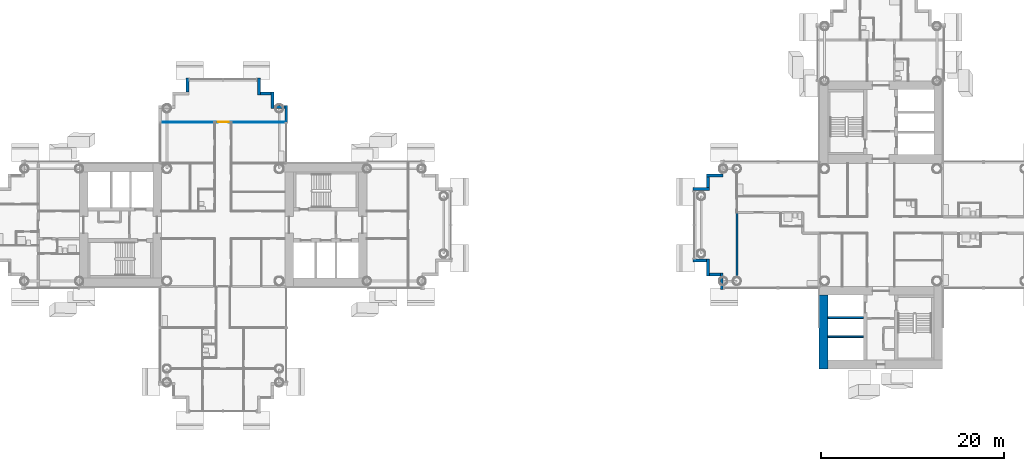
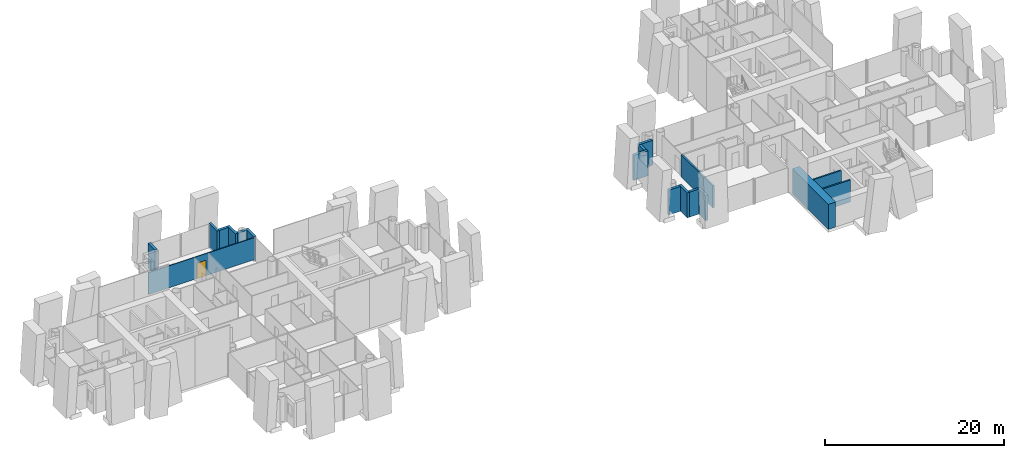
# One storey, part 11 of 21: 18 walls, 1 door, 1 opening.
"""IFC4 building model written with IfcOpenShell, lengths in metres."""

import ifcopenshell
import ifcopenshell.guid

model = None  # the IFC model being written
_history = None  # IfcOwnerHistory: only IFC2X3 demands one
_inside = {}  # id of a spatial element -> (the spatial element, [elements in it])
_under = {}  # id of a project, library or spatial element -> (it, [spatial elements below it])
_declared = {}  # id of a project -> (the project, [libraries it declares])
_typed = {}  # id of a type object -> (the type object, [elements of that type])
_made_of = {}  # id of a material, layer set ... -> (it, [elements and type objects made of it])


def new_model(schema):
    """Start an empty IFC model of exactly this schema.

    Asked for "IFC4X3", IfcOpenShell would pick the latest addendum, in which some entities
    have other attributes; the version numbers below select the first issue.
    IFC2X3 requires an IfcOwnerHistory on every rooted entity: one is made here for all.
    """
    global model, _history
    if schema == "IFC4X3":
        model = ifcopenshell.file(schema_version=(4, 3, 0, 0))
    else:
        model = ifcopenshell.file(schema=schema)
    _inside.clear()
    _under.clear()
    _declared.clear()
    _typed.clear()
    _made_of.clear()
    _history = None
    if model.schema == "IFC2X3":
        org = make("IfcOrganization", Name="unknown")
        user = make(
            "IfcPersonAndOrganization",
            ThePerson=make("IfcPerson", FamilyName="unknown"),
            TheOrganization=org,
        )
        app = make(
            "IfcApplication",
            ApplicationDeveloper=org,
            Version="unknown",
            ApplicationFullName="unknown",
            ApplicationIdentifier="unknown",
        )
        _history = make(
            "IfcOwnerHistory",
            OwningUser=user,
            OwningApplication=app,
            ChangeAction="ADDED",
            CreationDate=0,
        )
    return model


def make(cls, **values):
    """One entity of the class cls with the attributes given. An attribute that is None is left unset."""
    return model.create_entity(
        cls, **{name: value for name, value in values.items() if value is not None}
    )


def rooted(cls, **values):
    """An entity with a GlobalId (a new one), such as an element, a storey or a relation."""
    return make(cls, GlobalId=ifcopenshell.guid.new(), OwnerHistory=_history, **values)


def si_unit(unit_type, name, prefix=None):
    """IfcSIUnit, for example si_unit("LENGTHUNIT", "METRE", prefix="MILLI")."""
    return make("IfcSIUnit", UnitType=unit_type, Prefix=prefix, Name=name)


def assignment(units):
    """IfcUnitAssignment: the units of a project."""
    return None if units is None else make("IfcUnitAssignment", Units=units)


def point(xyz):
    """IfcCartesianPoint."""
    return None if xyz is None else make("IfcCartesianPoint", Coordinates=xyz)


def direction(xyz):
    """IfcDirection."""
    return None if xyz is None else make("IfcDirection", DirectionRatios=xyz)


def frame(location, z_axis=None, x_axis=None):
    """IfcAxis2Placement3D, a coordinate frame: its origin and axes. An axis left out is left unset."""
    return make(
        "IfcAxis2Placement3D",
        Location=point(location),
        Axis=direction(z_axis),
        RefDirection=direction(x_axis),
    )


def frame_2d(location, x_axis=None):
    """IfcAxis2Placement2D, a coordinate frame in the plane: its origin and x axis."""
    return make(
        "IfcAxis2Placement2D", Location=point(location), RefDirection=direction(x_axis)
    )


def origin():
    """The frame at (0, 0, 0) with its axes left unset."""
    return frame((0.0, 0.0, 0.0))


def place(relative_to, where):
    """IfcLocalPlacement: puts the frame where relative to a parent placement (None: the world)."""
    return make(
        "IfcLocalPlacement", PlacementRelTo=relative_to, RelativePlacement=where
    )


def context(
    kind, dimensions, precision=None, world=None, true_north=None, identifier=None
):
    """IfcGeometricRepresentationContext, for example the 3D "Model" context."""
    return make(
        "IfcGeometricRepresentationContext",
        ContextIdentifier=identifier,
        ContextType=kind,
        CoordinateSpaceDimension=dimensions,
        Precision=precision,
        WorldCoordinateSystem=world,
        TrueNorth=true_north,
    )


def subcontext(parent, identifier, kind, view, scale=None):
    """IfcGeometricRepresentationSubContext, for example "Body" below "Model"."""
    return make(
        "IfcGeometricRepresentationSubContext",
        ContextIdentifier=identifier,
        ContextType=kind,
        ParentContext=parent,
        TargetScale=scale,
        TargetView=view,
    )


def project(units=None, contexts=None):
    """IfcProject with its units and contexts."""
    return rooted(
        "IfcProject",
        Name="project",
        RepresentationContexts=contexts,
        UnitsInContext=assignment(units),
    )


def spatial(cls, under=None, at=None, **own):
    """A site, building, storey or space (cls), placed at a placement, below another one or the project."""
    s = rooted(cls, ObjectPlacement=at, **own)
    if under is not None:
        _under.setdefault(under.id(), (under, []))[1].append(s)
    return s


def profile(cls, at=None, kind="AREA", **sizes):
    """A parametric profile (cls). Its sizes go by their IFC names, for example OverallWidth=200.0."""
    return make(cls, ProfileType=kind, Position=at, **sizes)


def rectangle(**sizes):
    """IfcRectangleProfileDef."""
    return profile("IfcRectangleProfileDef", **sizes)


def extrude(swept, where, along, depth):
    """IfcExtrudedAreaSolid: the profile swept, set in the frame where, extruded along a direction by depth."""
    return make(
        "IfcExtrudedAreaSolid",
        SweptArea=swept,
        Position=where,
        ExtrudedDirection=direction(along),
        Depth=depth,
    )


def shape(context_of_items, identifier, shape_type, items):
    """IfcShapeRepresentation: the items that make up one representation, for example the "Body"."""
    return make(
        "IfcShapeRepresentation",
        ContextOfItems=context_of_items,
        RepresentationIdentifier=identifier,
        RepresentationType=shape_type,
        Items=items,
    )


def material(Name=None, Category=None):
    """IfcMaterial."""
    return make("IfcMaterial", Name=Name, Category=Category)


def layer(
    of_material, thickness, ventilated=None, Name=None, Category=None, Priority=None
):
    """IfcMaterialLayer: one layer of a wall or slab, of a material (None: an air gap)."""
    return make(
        "IfcMaterialLayer",
        Material=of_material,
        LayerThickness=thickness,
        IsVentilated=ventilated,
        Name=Name,
        Category=Category,
        Priority=Priority,
    )


def layer_set(layers, Name=None):
    """IfcMaterialLayerSet."""
    return make("IfcMaterialLayerSet", MaterialLayers=layers, LayerSetName=Name)


def made_of(thing, what):
    """Note that an element or type object is made of a material, layer set ...; save() writes the relation."""
    if what is not None:
        _made_of.setdefault(what.id(), (what, []))[1].append(thing)
    return thing


def type_object(cls, material=None, **own):
    """A type object (cls), such as IfcWallType, which elements share."""
    return made_of(rooted(cls, **own), material)


def element(
    cls,
    number,
    at=None,
    inside=None,
    cuts=None,
    type_object=None,
    material=None,
    context=None,
    identifier="Body",
    shape_type=None,
    held_by="IfcProductDefinitionShape",
    body=None,
    shapes=None,
    **own,
):
    """One element of the class cls, such as IfcWall. Its Tag is "e" and its number.

    at: its placement. inside: the storey or other place that contains it. cuts: it is an
    opening in that element (IfcRelVoidsElement). A single representation is given by context,
    identifier, shape_type and body (its items); several are given by shapes. held_by: the class
    of the entity that holds the representations. save() writes the other relations.
    """
    e = rooted(cls, Tag="e%d" % number, ObjectPlacement=at, **own)
    if body is not None:
        shapes = [shape(context, identifier, shape_type, body)]
    if shapes is not None:
        e.Representation = make(held_by, Representations=shapes)
    if inside is not None:
        _inside.setdefault(inside.id(), (inside, []))[1].append(e)
    if cuts is not None:
        rooted(
            "IfcRelVoidsElement", RelatingBuildingElement=cuts, RelatedOpeningElement=e
        )
    if type_object is not None:
        _typed.setdefault(type_object.id(), (type_object, []))[1].append(e)
    return made_of(e, material)


def fill(opening, filler):
    """IfcRelFillsElement: the door or window that sits in an opening."""
    return rooted(
        "IfcRelFillsElement",
        RelatingOpeningElement=opening,
        RelatedBuildingElement=filler,
    )


def aggregate(whole, parts):
    """IfcRelAggregates: a whole, such as a stair, and the parts it consists of."""
    return rooted("IfcRelAggregates", RelatingObject=whole, RelatedObjects=parts)


def save(model, path):
    """Write the relations noted so far, then the file.

    IfcRelAggregates (storeys below a building ...), IfcRelContainedInSpatialStructure (elements
    in a storey), IfcRelDefinesByType, IfcRelAssociatesMaterial and IfcRelDeclares: one each for
    every whole, place, type object, material and project.
    """
    for whole, parts in _under.values():
        aggregate(whole, parts)
    for where, things in _inside.values():
        rooted(
            "IfcRelContainedInSpatialStructure",
            RelatedElements=things,
            RelatingStructure=where,
        )
    for kind, things in _typed.values():
        rooted("IfcRelDefinesByType", RelatedObjects=things, RelatingType=kind)
    for what, things in _made_of.values():
        rooted("IfcRelAssociatesMaterial", RelatedObjects=things, RelatingMaterial=what)
    for by, libraries in _declared.values():
        rooted("IfcRelDeclares", RelatingContext=by, RelatedDefinitions=libraries)
    model.write(path)


model = new_model("IFC4")

# Units and contexts
model_context = context("Model", 3, precision=1e-05, world=origin(), true_north=direction((0.0, 1.0)))
body_context = subcontext(model_context, "Body", "Model", "MODEL_VIEW")
ifc_project = project(units=[si_unit("LENGTHUNIT", "METRE"), si_unit("AREAUNIT", "SQUARE_METRE"), si_unit("VOLUMEUNIT", "CUBIC_METRE"), si_unit("PLANEANGLEUNIT", "RADIAN"), si_unit("MASSUNIT", "GRAM", prefix="KILO")], contexts=[model_context])

# Site, building, storey
site_placement = place(None, origin())
site = spatial("IfcSite", under=ifc_project, at=site_placement, CompositionType="ELEMENT")
building_placement = place(site_placement, origin())
building = spatial("IfcBuilding", under=site, at=building_placement, Name="Ipe Terrace Towers", CompositionType="ELEMENT")
storey_placement = place(building_placement, frame((0.0, 0.0, 86.800048828125)))
storey = spatial("IfcBuildingStorey", under=building, at=storey_placement, Name="L23", CompositionType="ELEMENT", Elevation=86.800048828125)

# Walls
ifc_material_1 = material(Name="Concrete C40/50 with buff precast cladding", Category="concrete")
ifc_layer_1 = layer(ifc_material_1, 0.320068359375)
ifc_layer_set_1 = layer_set([ifc_layer_1], Name="BUFF CLADDING WALL 320")
wall_type_1 = type_object("IfcWallType", Name="BUFF CLADDING WALL 320", PredefinedType="STANDARD", material=ifc_layer_set_1)
wall_1_placement = place(storey_placement, frame((-29.090087890625, 11.25, -0.300048828125), z_axis=(0.0, 0.0, 1.0), x_axis=(0.0, 1.0, 0.0)))
element("IfcWall", 1, at=wall_1_placement, inside=storey, type_object=wall_type_1, Name="T1-W-L23-33a wall", PredefinedType="STANDARD", context=body_context, shape_type="SweptSolid", body=[
    extrude(rectangle(XDim=1.820068359375, YDim=0.320068359375, at=frame_2d((0.91015625, 0.0))), origin(), (0.0, 0.0, 1.0), 3.39990234375),
])
wall_2_placement = place(storey_placement, frame((-29.25, 12.909912109375, -0.300048828125), z_axis=(0.0, 0.0, 1.0), x_axis=(-1.0, 0.0, 0.0)))
element("IfcWall", 2, at=wall_2_placement, inside=storey, type_object=wall_type_1, Name="T1-W-L23-34a wall", PredefinedType="STANDARD", context=body_context, shape_type="SweptSolid", body=[
    extrude(rectangle(XDim=1.179931640625, YDim=0.320068359375, at=frame_2d((0.58984375, 0.0))), origin(), (0.0, 0.0, 1.0), 3.39990234375),
])
wall_3_placement = place(storey_placement, frame((-30.590087890625, 12.75, -0.300048828125), z_axis=(0.0, 0.0, 1.0), x_axis=(0.0, 1.0, 0.0)))
element("IfcWall", 3, at=wall_3_placement, inside=storey, type_object=wall_type_1, Name="T1-W-L23-35a wall", PredefinedType="STANDARD", context=body_context, shape_type="SweptSolid", body=[
    extrude(rectangle(XDim=1.820068359375, YDim=0.320068359375, at=frame_2d((0.91015625, 0.0))), origin(), (0.0, 0.0, 1.0), 3.39990234375),
])
wall_4_placement = place(storey_placement, frame((-30.75, 14.409912109375, -0.300048828125), z_axis=(0.0, 0.0, 1.0), x_axis=(-1.0, 0.0, 0.0)))
element("IfcWall", 4, at=wall_4_placement, inside=storey, type_object=wall_type_1, Name="T1-W-L23-36a wall", PredefinedType="STANDARD", context=body_context, shape_type="SweptSolid", body=[
    extrude(rectangle(XDim=1.179931640625, YDim=0.320068359375, at=frame_2d((0.58984375, 0.0))), origin(), (0.0, 0.0, 1.0), 3.39990234375),
])
wall_5_placement = place(storey_placement, frame((-32.090087890625, 14.25, -0.300048828125), z_axis=(0.0, 0.0, 1.0), x_axis=(0.0, 1.0, 0.0)))
element("IfcWall", 5, at=wall_5_placement, inside=storey, type_object=wall_type_1, Name="T1-W-L23-37a wall", PredefinedType="STANDARD", context=body_context, shape_type="SweptSolid", body=[
    extrude(rectangle(XDim=1.820068359375, YDim=0.320068359375, at=frame_2d((0.91015625, 0.0))), origin(), (0.0, 0.0, 1.0), 3.39990234375),
])
wall_6_placement = place(storey_placement, frame((-39.909912109375, 16.070068359375, -0.300048828125), z_axis=(0.0, 0.0, 1.0), x_axis=(0.0, -1.0, 0.0)))
element("IfcWall", 6, at=wall_6_placement, inside=storey, type_object=wall_type_1, Name="T1-W-L23-39a wall", PredefinedType="STANDARD", context=body_context, shape_type="SweptSolid", body=[
    extrude(rectangle(XDim=1.5, YDim=0.320068359375, at=frame_2d((0.75, 0.0))), origin(), (0.0, 0.0, 1.0), 3.39990234375),
])
wall_7_placement = place(storey_placement, frame((18.75, 5.409912109375, -0.300048828125), z_axis=(0.0, 0.0, 1.0), x_axis=(-1.0, 0.0, 0.0)))
element("IfcWall", 7, at=wall_7_placement, inside=storey, type_object=wall_type_1, Name="T2-W-L23-31a wall", PredefinedType="STANDARD", context=body_context, shape_type="SweptSolid", body=[
    extrude(rectangle(XDim=1.820068359375, YDim=0.320068359375, at=frame_2d((0.91015625, 0.0))), origin(), (0.0, 0.0, 1.0), 3.39990234375),
])
wall_8_placement = place(storey_placement, frame((17.090087890625, 5.25, -0.300048828125), z_axis=(0.0, 0.0, 1.0), x_axis=(0.0, -1.0, 0.0)))
element("IfcWall", 8, at=wall_8_placement, inside=storey, type_object=wall_type_1, Name="T2-W-L23-32a wall", PredefinedType="STANDARD", context=body_context, shape_type="SweptSolid", body=[
    extrude(rectangle(XDim=1.179931640625, YDim=0.320068359375, at=frame_2d((0.58984375, 0.0))), origin(), (0.0, 0.0, 1.0), 3.39990234375),
])
wall_9_placement = place(storey_placement, frame((17.25, 3.909912109375, -0.300048828125), z_axis=(0.0, 0.0, 1.0), x_axis=(-1.0, 0.0, 0.0)))
element("IfcWall", 9, at=wall_9_placement, inside=storey, type_object=wall_type_1, Name="T2-W-L23-33a wall", PredefinedType="STANDARD", context=body_context, shape_type="SweptSolid", body=[
    extrude(rectangle(XDim=1.820068359375, YDim=0.320068359375, at=frame_2d((0.91015625, 0.0))), origin(), (0.0, 0.0, 1.0), 3.39990234375),
])
wall_10_placement = place(storey_placement, frame((15.429931640625, -3.909912109375, -0.300048828125), z_axis=(0.0, 0.0, 1.0), x_axis=(1.0, 0.0, 0.0)))
element("IfcWall", 10, at=wall_10_placement, inside=storey, type_object=wall_type_1, Name="T2-W-L23-35a wall", PredefinedType="STANDARD", context=body_context, shape_type="SweptSolid", body=[
    extrude(rectangle(XDim=1.5, YDim=0.320068359375, at=frame_2d((0.75, 0.0))), origin(), (0.0, 0.0, 1.0), 3.39990234375),
])
wall_11_placement = place(storey_placement, frame((17.090087890625, -3.75, -0.300048828125), z_axis=(0.0, 0.0, 1.0), x_axis=(0.0, -1.0, 0.0)))
element("IfcWall", 11, at=wall_11_placement, inside=storey, type_object=wall_type_1, Name="T2-W-L23-36a wall", PredefinedType="STANDARD", context=body_context, shape_type="SweptSolid", body=[
    extrude(rectangle(XDim=1.820068359375, YDim=0.320068359375, at=frame_2d((0.91015625, 0.0))), origin(), (0.0, 0.0, 1.0), 3.39990234375),
])
wall_12_placement = place(storey_placement, frame((17.25, -5.409912109375, -0.300048828125), z_axis=(0.0, 0.0, 1.0), x_axis=(1.0, 0.0, 0.0)))
element("IfcWall", 12, at=wall_12_placement, inside=storey, type_object=wall_type_1, Name="T2-W-L23-37a wall", PredefinedType="STANDARD", context=body_context, shape_type="SweptSolid", body=[
    extrude(rectangle(XDim=1.179931640625, YDim=0.320068359375, at=frame_2d((0.58984375, 0.0))), origin(), (0.0, 0.0, 1.0), 3.39990234375),
])
wall_13_placement = place(storey_placement, frame((18.590087890625, -5.25, -0.300048828125), z_axis=(0.0, 0.0, 1.0), x_axis=(0.0, -1.0, 0.0)))
element("IfcWall", 13, at=wall_13_placement, inside=storey, type_object=wall_type_1, Name="T2-W-L23-38a wall", PredefinedType="STANDARD", context=body_context, shape_type="SweptSolid", body=[
    extrude(rectangle(XDim=1.820068359375, YDim=0.320068359375, at=frame_2d((0.91015625, 0.0))), origin(), (0.0, 0.0, 1.0), 3.39990234375),
])

# Wall, opening, door
ifc_material_2 = material(Name="Gypsum board partition", Category="plasterboard")
ifc_layer_2 = layer(ifc_material_2, 0.10009765625)
ifc_layer_set_2 = layer_set([ifc_layer_2], Name="Gypsum board partition 100 mm")
wall_type_2 = type_object("IfcWallType", Name="Gypsum board partition 100 mm", PredefinedType="PARTITIONING", material=ifc_layer_set_2)
wall_14_placement = place(storey_placement, frame((-42.85009765625, 11.25, 0.0), z_axis=(0.0, 0.0, 1.0), x_axis=(1.0, 0.0, 0.0)))
wall_14 = element("IfcWall", 14, at=wall_14_placement, inside=storey, type_object=wall_type_2, Name="Gypsum board partition T1 L23 W38", PredefinedType="PARTITIONING", context=body_context, shape_type="SweptSolid", body=[
    extrude(rectangle(XDim=13.7001953125, YDim=0.10009765625, at=frame_2d((6.85009765625, 0.0))), origin(), (0.0, 0.0, 1.0), 3.0),
])
opening_placement = place(wall_14_placement, frame((6.25, 0.0, 0.0)))
opening = element("IfcOpeningElement", 15, at=opening_placement, cuts=wall_14, Name="Opening T1-Z2C-11", PredefinedType="OPENING", context=body_context, shape_type="SweptSolid", body=[
    extrude(rectangle(XDim=1.199951171875, YDim=2.10009765625, at=frame_2d((0.60009765625, 1.050048828125))), frame((0.0, 0.06005859375, 0.0), z_axis=(0.0, -1.0, 0.0), x_axis=(1.0, 0.0, 0.0)), (0.0, 0.0, 1.0), 0.1201171875),
])
ifc_material_3 = material(Name="Timber door leaf", Category="wood")
door_type = type_object("IfcDoorType", Name="Lounge door 1200 x 2100", OperationType="NOTDEFINED", PredefinedType="DOOR", material=ifc_material_3)
door_placement = place(opening_placement, origin())
door = element("IfcDoor", 16, at=door_placement, inside=storey, type_object=door_type, Name="Lounge door T1-Z2C-11", OperationType="SINGLE_SWING_LEFT", OverallHeight=2.10009765625, OverallWidth=1.199951171875, PredefinedType="DOOR", context=body_context, shape_type="SweptSolid", body=[
    extrude(rectangle(XDim=1.199951171875, YDim=2.10009765625, at=frame_2d((0.60009765625, 1.050048828125))), frame((0.0, 0.02490234375, 0.0), z_axis=(0.0, -1.0, 0.0), x_axis=(1.0, 0.0, 0.0)), (0.0, 0.0, 1.0), 0.050048828125),
])
fill(opening, door)

# Walls
ifc_material_4 = material(Name="Gypsum board party wall", Category="plasterboard")
ifc_layer_3 = layer(ifc_material_4, 0.199951171875)
ifc_layer_set_3 = layer_set([ifc_layer_3], Name="Gypsum board party wall 200 mm")
wall_type_3 = type_object("IfcWallType", Name="Gypsum board party wall 200 mm", PredefinedType="SOLIDWALL", material=ifc_layer_set_3)
for number, where, z_axis, x_axis, name in (
    (17, (30.199951171875, -10.14990234375, 0.0), (0.0, 0.0, 1.0), (1.0, 0.0, 0.0), "Gypsum board party wall T2 L23 t2c2-shaft-div1"),
    (18, (30.199951171875, -12.25, 0.0), (0.0, 0.0, 1.0), (1.0, 0.0, 0.0), "Gypsum board party wall T2 L23 t2c2-shaft-div2"),
):
    element("IfcWall", number, at=place(storey_placement, frame(where, z_axis=z_axis, x_axis=x_axis)), inside=storey, type_object=wall_type_3, Name=name, PredefinedType="SOLIDWALL", context=body_context, shape_type="SweptSolid", body=[
        extrude(rectangle(XDim=3.900146484375, YDim=0.199951171875, at=frame_2d((1.9501953125, 0.0))), origin(), (0.0, 0.0, 1.0), 3.0),
    ])
wall_15_placement = place(storey_placement, frame((20.25, -5.699951171875, 0.0), z_axis=(0.0, 0.0, 1.0), x_axis=(0.0, 1.0, 0.0)))
element("IfcWall", 19, at=wall_15_placement, inside=storey, type_object=wall_type_3, Name="Gypsum board party wall T2 L23 W45", PredefinedType="SOLIDWALL", context=body_context, shape_type="SweptSolid", body=[
    extrude(rectangle(XDim=7.050048828125, YDim=0.199951171875, at=frame_2d((3.52490234375, 0.0))), origin(), (0.0, 0.0, 1.0), 3.0),
])
ifc_material_5 = material(Name="Concrete C50/60", Category="concrete")
ifc_layer_4 = layer(ifc_material_5, 0.949951171875)
ifc_layer_set_4 = layer_set([ifc_layer_4], Name="RW950 CORE WALL 950 C50-60")
wall_type_4 = type_object("IfcWallType", Name="RW950 CORE WALL 950 C50-60", PredefinedType="SHEAR", material=ifc_layer_set_4)
wall_16_placement = place(storey_placement, frame((29.72509765625, -7.699951171875, 0.0), z_axis=(0.0, 0.0, 1.0), x_axis=(0.0, -1.0, 0.0)))
element("IfcWall", 20, at=wall_16_placement, inside=storey, type_object=wall_type_4, Name="Core wall T2-C2-Z2-W04", PredefinedType="SHEAR", context=body_context, shape_type="SweptSolid", body=[
    extrude(rectangle(XDim=8.050048828125, YDim=0.949951171875, at=frame_2d((4.02490234375, 0.0))), origin(), (0.0, 0.0, 1.0), 3.39990234375),
])

save(model, "model.ifc")
